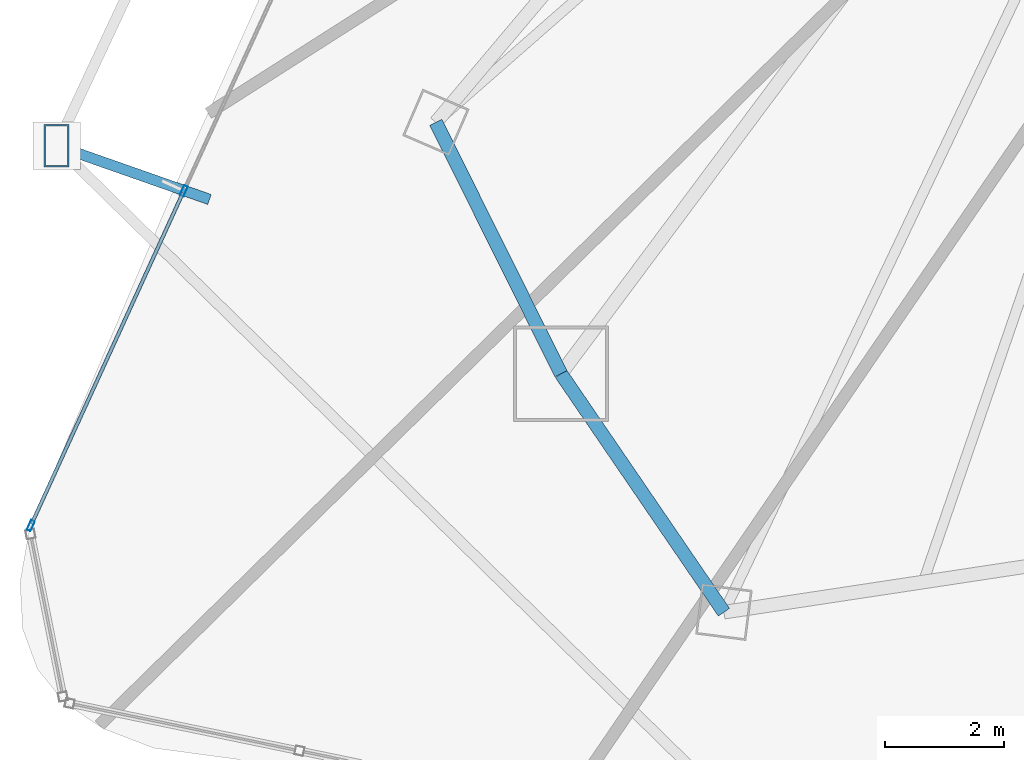
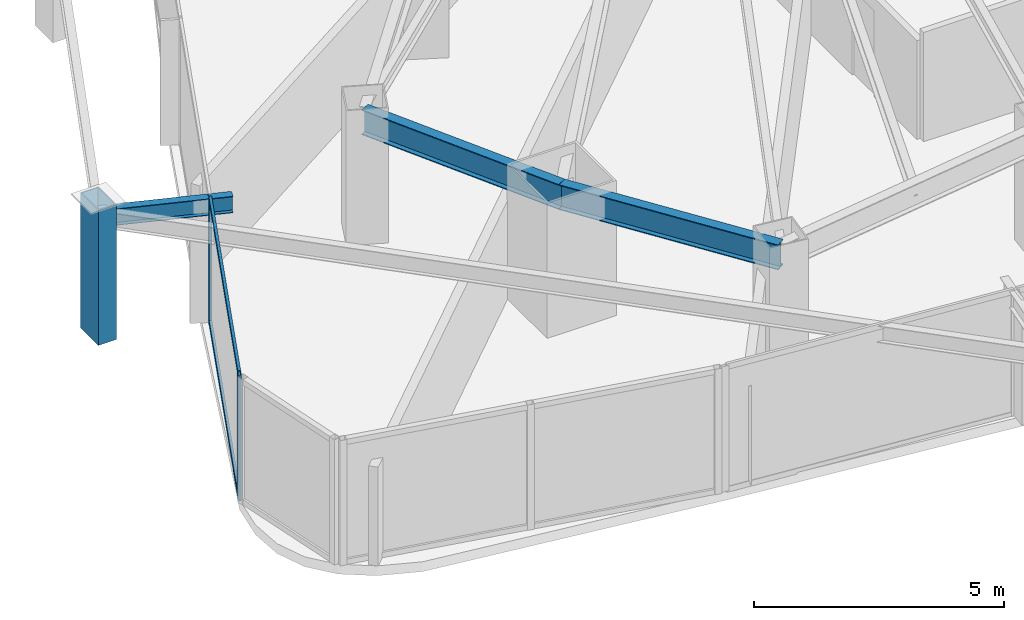
# One storey, part 5 of 33: 5 members, 3 beams, 1 element without a shape of its own.
"""IFC4 building model written with IfcOpenShell, lengths in metres."""

from ifc_helpers import new_model, si_unit, direction, frame, origin, origin_2d, place, context, subcontext, project, spatial, hollow_rectangle, i_section, extrude, material, layer, layer_set, material_profile, profile_set, type_object, element, aggregate, save


model = new_model("IFC4")

# Units and contexts
model_context = context("Model", 3, precision=1e-05, world=origin(), true_north=direction((0.0, 1.0)))
body_context = subcontext(model_context, "Body", "Model", "MODEL_VIEW")
ifc_project = project(units=[si_unit("LENGTHUNIT", "METRE"), si_unit("AREAUNIT", "SQUARE_METRE"), si_unit("VOLUMEUNIT", "CUBIC_METRE"), si_unit("PLANEANGLEUNIT", "RADIAN"), si_unit("MASSUNIT", "GRAM", prefix="KILO")], contexts=[model_context])

# Site, building, storey
site_placement = place(None, origin())
site = spatial("IfcSite", under=ifc_project, at=site_placement, CompositionType="ELEMENT")
building_placement = place(site_placement, origin())
building = spatial("IfcBuilding", under=site, at=building_placement, Name="Orvanel Arch Residences", CompositionType="ELEMENT")
storey_placement = place(building_placement, frame((0.0, 0.0, 70.85009765625)))
storey = spatial("IfcBuildingStorey", under=building, at=storey_placement, Name="L19", CompositionType="ELEMENT", Elevation=70.85009765625)

# Member
ifc_material_1 = material(Name="Structural steel AS/NZS 3678 Grade 350", Category="steel")
ifc_material_profile_1 = material_profile(ifc_material_1, hollow_rectangle(XDim=0.419921875, YDim=0.719970703125, WallThickness=0.02490234375, at=origin_2d()), Name="RHS720x420x25")
ifc_profile_set_1 = profile_set([ifc_material_profile_1], Name="Structural steel AS/NZS 3678 Grade 350")
member_type_1 = type_object("IfcMemberType", Name="CH-720RHS-EXT", PredefinedType="CHORD", material=ifc_profile_set_1)
member_1_placement = place(storey_placement, frame((5.712890625, 14.18603515625, 0.0), z_axis=(0.0, 0.0, 1.0), x_axis=(1.0, 0.0, 0.0)))
element("IfcMember", 1, at=member_1_placement, inside=storey, type_object=member_type_1, Name="L19 Outer Perimeter Frame Post 04", PredefinedType="CHORD", context=body_context, shape_type="SweptSolid", body=[
    extrude(hollow_rectangle(XDim=0.419921875, YDim=0.719970703125, WallThickness=0.02490234375, at=origin_2d()), origin(), (0.0, 0.0, 1.0), 3.2998046875),
])

# Curtain wall, members
ifc_material_2 = material(Name="Bronze-anodised aluminium AA6063-T6", Category="aluminium")
ifc_layer = layer(ifc_material_2, 0.179931640625)
ifc_layer_set = layer_set([ifc_layer], Name="Bronze-anodised aluminium AA6063-T6")
curtain_wall_type = type_object("IfcCurtainWallType", Name="CW2-LOW-SYS", PredefinedType="NOTDEFINED", material=ifc_layer_set)
curtain_wall_placement = place(storey_placement, origin())
curtain_wall = element("IfcCurtainWall", 2, at=curtain_wall_placement, inside=storey, type_object=curtain_wall_type, Name="L19 CW2-LOW-SYS Unitised Curtain Wall", PredefinedType="NOTDEFINED")
ifc_material_profile_2 = material_profile(ifc_material_2, hollow_rectangle(XDim=0.070068359375, YDim=0.179931640625, WallThickness=0.00439453125, at=origin_2d()), Name="ALU180x70x4.5")
ifc_profile_set_2 = profile_set([ifc_material_profile_2], Name="Bronze-anodised aluminium AA6063-T6")
member_type_2 = type_object("IfcMemberType", Name="MUL-180x70", PredefinedType="MULLION", material=ifc_profile_set_2)
member_2_placement = place(storey_placement, frame((7.854248046875, 13.42822265625, 0.0), z_axis=(0.0, 0.0, 1.0), x_axis=(0.909506848006, -0.415688938305, 0.0)))
member_2 = element("IfcMember", 3, at=member_2_placement, type_object=member_type_2, Name="CW-S2 mullion 3", PredefinedType="MULLION", context=body_context, shape_type="SweptSolid", body=[
    extrude(hollow_rectangle(XDim=0.070068359375, YDim=0.179931640625, WallThickness=0.00439453125, at=origin_2d()), origin(), (0.0, 0.0, 1.0), 3.059814453125),
])
member_3_placement = place(storey_placement, frame((5.279541015625, 7.794921875, 0.0), z_axis=(0.0, 0.0, 1.0), x_axis=(0.909506848006, -0.415688938305, 0.0)))
member_3 = element("IfcMember", 4, at=member_3_placement, type_object=member_type_2, Name="CW-S2 mullion 4", PredefinedType="MULLION", context=body_context, shape_type="SweptSolid", body=[
    extrude(hollow_rectangle(XDim=0.070068359375, YDim=0.179931640625, WallThickness=0.00439453125, at=origin_2d()), origin(), (0.0, 0.0, 1.0), 3.059814453125),
])

# Beams
ifc_material_3 = material(Name="Structural steel AS/NZS 3679.1 Grade 300 (300 MPa)", Category="steel")
ifc_material_profile_3 = material_profile(ifc_material_3, i_section(OverallWidth=0.177978515625, OverallDepth=0.406005859375, WebThickness=0.0078125, FlangeThickness=0.0126953125, at=origin_2d()), Name="410UB59.7")
ifc_profile_set_3 = profile_set([ifc_material_profile_3], Name="Structural steel AS/NZS 3679.1 Grade 300 (300 MPa)")
beam_type_1 = type_object("IfcBeamType", Name="OB-410UB-EXT", PredefinedType="SPANDREL", material=ifc_profile_set_3)
beam_1_placement = place(storey_placement, frame((8.285888671875, 13.282958984375, 2.85693359375), z_axis=(-0.943569062897, 0.331175819685, 0.0), x_axis=(-0.331175819685, -0.943569062897, 0.0)))
element("IfcBeam", 5, at=beam_1_placement, inside=storey, type_object=beam_type_1, Name="L19 Outer Frame Radial Tie Beam 04", PredefinedType="SPANDREL", context=body_context, shape_type="SweptSolid", body=[
    extrude(i_section(OverallWidth=0.177978515625, OverallDepth=0.406005859375, WebThickness=0.0078125, FlangeThickness=0.0126953125, at=origin_2d()), origin(), (0.0, 0.0, 1.0), 2.726806640625),
])
ifc_material_profile_4 = material_profile(ifc_material_3, i_section(OverallWidth=0.22900390625, OverallDepth=0.612060546875, WebThickness=0.011962890625, FlangeThickness=0.01953125, at=origin_2d()), Name="610UB125")
ifc_profile_set_4 = profile_set([ifc_material_profile_4], Name="Structural steel AS/NZS 3679.1 Grade 300 (300 MPa)")
beam_type_2 = type_object("IfcBeamType", Name="SP-610UB", PredefinedType="SPANDREL", material=ifc_profile_set_4)
beam_2_placement = place(storey_placement, frame((12.094970703125, 14.580078125, 2.75390625), z_axis=(0.44543469453, -0.895314432425, 0.0), x_axis=(0.895314432425, 0.44543469453, 0.0)))
element("IfcBeam", 6, at=beam_2_placement, inside=storey, type_object=beam_type_2, Name="L19 Perimeter Spandrel Beam 02", PredefinedType="SPANDREL", context=body_context, shape_type="SweptSolid", body=[
    extrude(i_section(OverallWidth=0.22900390625, OverallDepth=0.612060546875, WebThickness=0.011962890625, FlangeThickness=0.01953125, at=origin_2d()), origin(), (0.0, 0.0, 1.0), 4.723388671875),
])
beam_3_placement = place(storey_placement, frame((14.198974609375, 10.35107421875, 2.75390625), z_axis=(0.564251579852, -0.825602903722, 0.0), x_axis=(0.825602903722, 0.564251579852, 0.0)))
element("IfcBeam", 7, at=beam_3_placement, inside=storey, type_object=beam_type_2, Name="L19 Perimeter Spandrel Beam 03", PredefinedType="SPANDREL", context=body_context, shape_type="SweptSolid", body=[
    extrude(i_section(OverallWidth=0.22900390625, OverallDepth=0.612060546875, WebThickness=0.011962890625, FlangeThickness=0.01953125, at=origin_2d()), origin(), (0.0, 0.0, 1.0), 4.859375),
])

# Member
ifc_material_profile_5 = material_profile(ifc_material_2, hollow_rectangle(XDim=0.06005859375, YDim=0.135009765625, WallThickness=0.00390625, at=origin_2d()), Name="ALU135x60x4")
ifc_profile_set_5 = profile_set([ifc_material_profile_5], Name="Bronze-anodised aluminium AA6063-T6")
member_type_3 = type_object("IfcMemberType", Name="TRN-135x60", PredefinedType="USERDEFINED", material=ifc_profile_set_5)
member_4_placement = place(storey_placement, frame((7.83984375, 13.396484375, 0.02978515625), z_axis=(-0.415685329324, -0.909508497478, 0.0), x_axis=(0.909508497478, -0.415685329324, 0.0)))
member_4 = element("IfcMember", 8, at=member_4_placement, type_object=member_type_3, Name="CW-S2 transom 3.1", ObjectType="TRANSOM", PredefinedType="USERDEFINED", context=body_context, shape_type="SweptSolid", body=[
    extrude(hollow_rectangle(XDim=0.06005859375, YDim=0.135009765625, WallThickness=0.00390625, at=origin_2d()), origin(), (0.0, 0.0, 1.0), 6.1240234375),
])

member_5_placement = place(storey_placement, frame((7.83984375, 13.396484375, 3.02978515625), z_axis=(-0.415685329324, -0.909508497478, 0.0), x_axis=(0.909508497478, -0.415685329324, 0.0)))
member_5 = element("IfcMember", 9, at=member_5_placement, type_object=member_type_3, Name="CW-S2 transom 3.2", ObjectType="TRANSOM", PredefinedType="USERDEFINED", context=body_context, shape_type="SweptSolid", body=[
    extrude(hollow_rectangle(XDim=0.06005859375, YDim=0.135009765625, WallThickness=0.00390625, at=origin_2d()), origin(), (0.0, 0.0, 1.0), 6.1240234375),
])

aggregate(curtain_wall, [member_2, member_3, member_4, member_5])

save(model, "model.ifc")
